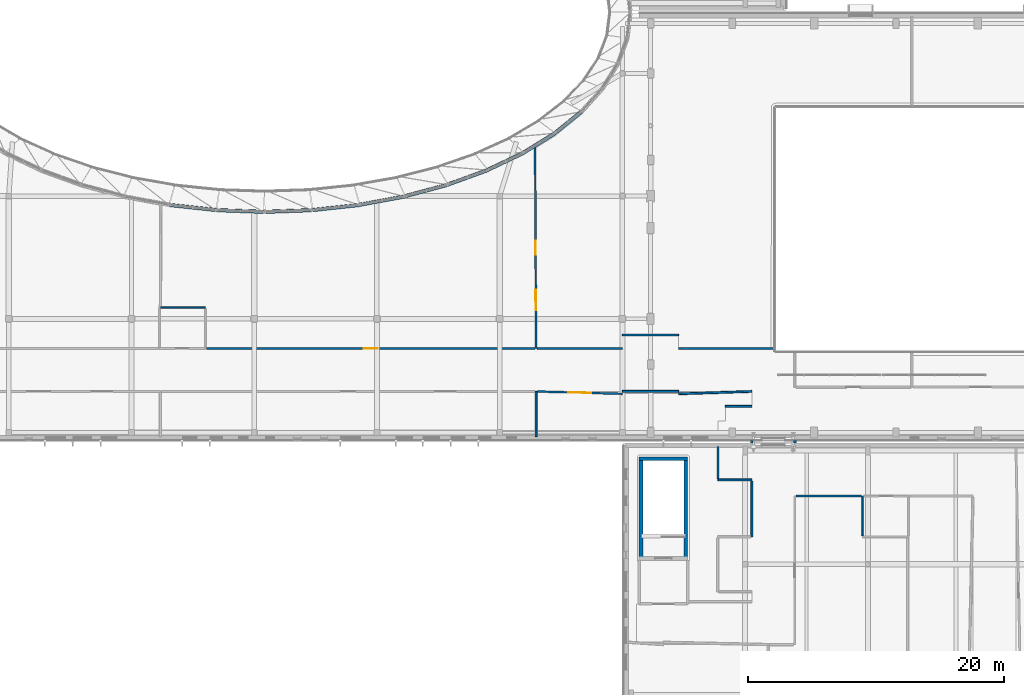
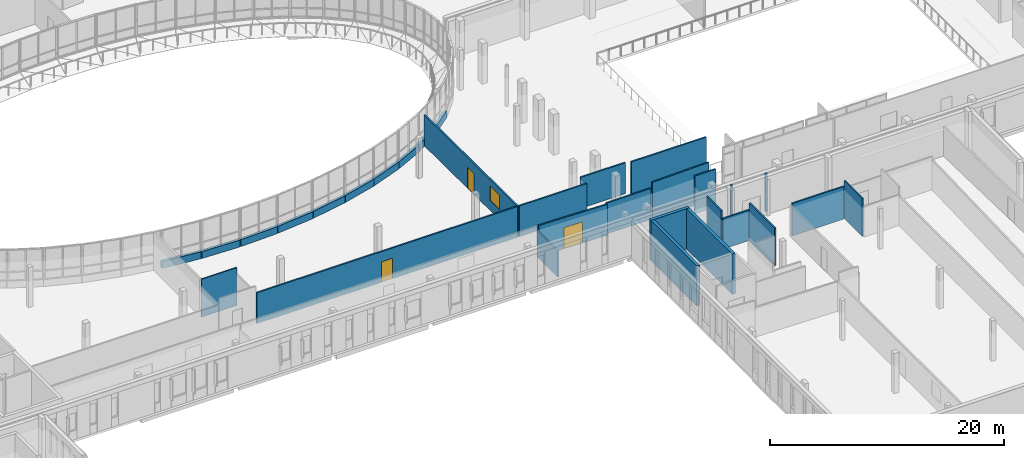
# One storey, part 48 of 84: 31 walls, 3 doors, 1 window, 4 openings.
"""IFC4 building model written with IfcOpenShell, lengths in metres."""

from ifc_helpers import new_model, si_unit, direction, frame, frame_2d, origin, place, context, subcontext, project, spatial, rectangle, extrude, material, layer, layer_set, type_object, element, fill, save


model = new_model("IFC4")

# Units and contexts
model_context = context("Model", 3, precision=1e-05, world=origin(), true_north=direction((0.0, 1.0)))
body_context = subcontext(model_context, "Body", "Model", "MODEL_VIEW")
ifc_project = project(units=[si_unit("LENGTHUNIT", "METRE"), si_unit("AREAUNIT", "SQUARE_METRE"), si_unit("VOLUMEUNIT", "CUBIC_METRE"), si_unit("PLANEANGLEUNIT", "RADIAN"), si_unit("MASSUNIT", "GRAM", prefix="KILO")], contexts=[model_context])

# Site, building, storey
site_placement = place(None, origin())
site = spatial("IfcSite", under=ifc_project, at=site_placement, CompositionType="ELEMENT")
building_placement = place(site_placement, origin())
building = spatial("IfcBuilding", under=site, at=building_placement, Name="Mzevani Central Library", CompositionType="ELEMENT")
storey_placement = place(building_placement, frame((0.0, 0.0, 5.39990234375)))
storey = spatial("IfcBuildingStorey", under=building, at=storey_placement, Name="L01", CompositionType="ELEMENT", Elevation=5.39990234375)

# Walls
ifc_material_1 = material(Name="Concrete C35/45", Category="concrete")
ifc_layer_1 = layer(ifc_material_1, 0.199951171875, Name="Compartment Wall 200")
ifc_layer_set_1 = layer_set([ifc_layer_1], Name="Concrete C35/45")
wall_type_1 = type_object("IfcWallType", Name="Compartment Wall 200", PredefinedType="STANDARD", material=ifc_layer_set_1)
for number, where, z_axis, x_axis, name in (
    (1, (122.10009765625, 42.300048828125, 0.0), (0.0, 0.0, 1.0), (0.0, 1.0, 0.0), "L01 Children-Reading Hall Seismic Passage L01 Seismic Joint Enclosure Wall 1"),
    (2, (125.5, 42.300048828125, 0.0), (0.0, 0.0, 1.0), (0.0, 1.0, 0.0), "L01 Children-Reading Hall Seismic Passage L01 Seismic Joint Enclosure Wall 2"),
):
    element("IfcWall", number, at=place(storey_placement, frame(where, z_axis=z_axis, x_axis=x_axis)), inside=storey, type_object=wall_type_1, Name=name, PredefinedType="STANDARD", context=body_context, shape_type="SweptSolid", body=[
        extrude(rectangle(XDim=0.199951171875, YDim=0.199951171875, at=frame_2d((0.10009765625, 0.0))), origin(), (0.0, 0.0, 1.0), 3.940185546875),
    ])
ifc_material_2 = material(Name="Concrete C40/50", Category="concrete")
ifc_layer_2 = layer(ifc_material_2, 0.300048828125, Name="Core Shear Wall 300")
ifc_layer_set_2 = layer_set([ifc_layer_2], Name="Concrete C40/50")
wall_type_2 = type_object("IfcWallType", Name="Core Shear Wall 300", PredefinedType="SHEAR", material=ifc_layer_set_2)
wall_1_placement = place(storey_placement, frame((113.449951171875, 33.10009765625, 0.0), z_axis=(0.0, 0.0, 1.0), x_axis=(0.0, 1.0, 0.0)))
element("IfcWall", 3, at=wall_1_placement, inside=storey, type_object=wall_type_2, Name="L01 Core C6A Children's Pavilion North Stair Shear Wall (-x)", PredefinedType="SHEAR", context=body_context, shape_type="SweptSolid", body=[
    extrude(rectangle(XDim=8.099853515625, YDim=0.300048828125, at=frame_2d((4.0498046875, 0.0))), origin(), (0.0, 0.0, 1.0), 4.2001953125),
])
wall_2_placement = place(storey_placement, frame((113.300048828125, 41.050048828125, 0.0), z_axis=(0.0, 0.0, 1.0), x_axis=(1.0, 0.0, 0.0)))
element("IfcWall", 4, at=wall_2_placement, inside=storey, type_object=wall_type_2, Name="L01 Core C6A Children's Pavilion North Stair Shear Wall (+y)", PredefinedType="SHEAR", context=body_context, shape_type="SweptSolid", body=[
    extrude(rectangle(XDim=3.800048828125, YDim=0.300048828125, at=frame_2d((1.89990234375, 0.0))), origin(), (0.0, 0.0, 1.0), 4.2001953125),
])
wall_3_placement = place(storey_placement, frame((116.949951171875, 41.199951171875, 0.0), z_axis=(0.0, 0.0, 1.0), x_axis=(0.0, -1.0, 0.0)))
element("IfcWall", 5, at=wall_3_placement, inside=storey, type_object=wall_type_2, Name="L01 Core C6A Children's Pavilion North Stair Shear Wall (+x)", PredefinedType="SHEAR", context=body_context, shape_type="SweptSolid", body=[
    extrude(rectangle(XDim=8.099853515625, YDim=0.300048828125, at=frame_2d((4.0498046875, 0.0))), origin(), (0.0, 0.0, 1.0), 4.2001953125),
])
ifc_material_3 = material(Name="Precast concrete C40/50", Category="concrete")
ifc_layer_3 = layer(ifc_material_3, 0.280029296875, Name="Court Spandrel Wall 280")
ifc_layer_set_3 = layer_set([ifc_layer_3], Name="Precast concrete C40/50")
wall_type_3 = type_object("IfcWallType", Name="Court Spandrel Wall 280", PredefinedType="STANDARD", material=ifc_layer_set_3)
wall_4_placement = place(storey_placement, frame((76.57373046875, 60.90625, 0.0), z_axis=(0.0, 0.0, 1.0), x_axis=(0.994224158715, -0.107323446776, 0.0)))
element("IfcWall", 6, at=wall_4_placement, inside=storey, type_object=wall_type_3, Name="L01 Elliptical Court Spandrel 35", PredefinedType="STANDARD", context=body_context, shape_type="SweptSolid", body=[
    extrude(rectangle(XDim=3.664794921875, YDim=0.280029296875, at=frame_2d((1.83251953125, 0.0))), origin(), (0.0, 0.0, 1.0), 0.72021484375),
])
for number, where, z_axis, x_axis, name in (
    (7, (80.2666015625, 60.501220703125, 0.0), (0.0, 0.0, 1.0), (0.999368209041, -0.035541282461, 0.0), "L01 Elliptical Court Spandrel 36"),
    (8, (84.0263671875, 60.369384765625, 0.0), (0.0, 0.0, 1.0), (0.999368209041, 0.035541282461, 0.0), "L01 Elliptical Court Spandrel 37"),
):
    element("IfcWall", number, at=place(storey_placement, frame(where, z_axis=z_axis, x_axis=x_axis)), inside=storey, type_object=wall_type_3, Name=name, PredefinedType="STANDARD", context=body_context, shape_type="SweptSolid", body=[
        extrude(rectangle(XDim=3.70947265625, YDim=0.280029296875, at=frame_2d((1.854736328125, 0.0))), origin(), (0.0, 0.0, 1.0), 0.72021484375),
    ])
wall_5_placement = place(storey_placement, frame((87.78271484375, 60.512939453125, 0.0), z_axis=(0.0, 0.0, 1.0), x_axis=(0.994224158715, 0.107323446776, 0.0)))
element("IfcWall", 9, at=wall_5_placement, inside=storey, type_object=wall_type_3, Name="L01 Elliptical Court Spandrel 38", PredefinedType="STANDARD", context=body_context, shape_type="SweptSolid", body=[
    extrude(rectangle(XDim=3.664794921875, YDim=0.280029296875, at=frame_2d((1.83251953125, 0.0))), origin(), (0.0, 0.0, 1.0), 0.72021484375),
])
wall_6_placement = place(storey_placement, frame((91.467041015625, 60.92626953125, 0.0), z_axis=(0.0, 0.0, 1.0), x_axis=(0.983444547385, 0.181209332591, 0.0)))
element("IfcWall", 10, at=wall_6_placement, inside=storey, type_object=wall_type_3, Name="L01 Elliptical Court Spandrel 39", PredefinedType="STANDARD", context=body_context, shape_type="SweptSolid", body=[
    extrude(rectangle(XDim=3.5771484375, YDim=0.280029296875, at=frame_2d((1.78857421875, 0.0))), origin(), (0.0, 0.0, 1.0), 0.72021484375),
])
wall_7_placement = place(storey_placement, frame((95.01611328125, 61.59814453125, 0.0), z_axis=(0.0, 0.0, 1.0), x_axis=(0.966008995784, 0.258508452598, 0.0)))
element("IfcWall", 11, at=wall_7_placement, inside=storey, type_object=wall_type_3, Name="L01 Elliptical Court Spandrel 40", PredefinedType="STANDARD", context=body_context, shape_type="SweptSolid", body=[
    extrude(rectangle(XDim=3.448974609375, YDim=0.280029296875, at=frame_2d((1.724609375, 0.0))), origin(), (0.0, 0.0, 1.0), 0.72021484375),
])
wall_8_placement = place(storey_placement, frame((98.370849609375, 62.513916015625, 0.0), z_axis=(0.0, 0.0, 1.0), x_axis=(0.940120589317, 0.340842012583, 0.0)))
element("IfcWall", 12, at=wall_8_placement, inside=storey, type_object=wall_type_3, Name="L01 Elliptical Court Spandrel 41", PredefinedType="STANDARD", context=body_context, shape_type="SweptSolid", body=[
    extrude(rectangle(XDim=3.28564453125, YDim=0.280029296875, at=frame_2d((1.642822265625, 0.0))), origin(), (0.0, 0.0, 1.0), 0.72021484375),
])
wall_9_placement = place(storey_placement, frame((101.475830078125, 63.65673828125, 0.0), z_axis=(0.0, 0.0, 1.0), x_axis=(0.902940744527, 0.429765065905, 0.0)))
element("IfcWall", 13, at=wall_9_placement, inside=storey, type_object=wall_type_3, Name="L01 Elliptical Court Spandrel 42", PredefinedType="STANDARD", context=body_context, shape_type="SweptSolid", body=[
    extrude(rectangle(XDim=3.09326171875, YDim=0.280029296875, at=frame_2d((1.546630859375, 0.0))), origin(), (0.0, 0.0, 1.0), 0.72021484375),
])
wall_10_placement = place(storey_placement, frame((104.280517578125, 65.00732421875, 0.0), z_axis=(0.0, 0.0, 1.0), x_axis=(0.850375313237, 0.526176611639, 0.0)))
element("IfcWall", 14, at=wall_10_placement, inside=storey, type_object=wall_type_3, Name="L01 Elliptical Court Spandrel 43", PredefinedType="STANDARD", context=body_context, shape_type="SweptSolid", body=[
    extrude(rectangle(XDim=2.88037109375, YDim=0.280029296875, at=frame_2d((1.440185546875, 0.0))), origin(), (0.0, 0.0, 1.0), 0.72021484375),
])
wall_11_placement = place(storey_placement, frame((106.738037109375, 66.54248046875, 0.0), z_axis=(0.0, 0.0, 1.0), x_axis=(0.776243179452, 0.63043360186, 0.0)))
element("IfcWall", 15, at=wall_11_placement, inside=storey, type_object=wall_type_3, Name="L01 Elliptical Court Spandrel 44", PredefinedType="STANDARD", context=body_context, shape_type="SweptSolid", body=[
    extrude(rectangle(XDim=2.658935546875, YDim=0.280029296875, at=frame_2d((1.32958984375, 0.0))), origin(), (0.0, 0.0, 1.0), 0.72021484375),
])
ifc_material_4 = material(Name="Fire-rated gypsum board", Category="gypsum")
ifc_layer_4 = layer(ifc_material_4, 0.1201171875, Name="Partition Acoustic 120")
ifc_layer_set_4 = layer_set([ifc_layer_4], Name="Fire-rated gypsum board")
wall_type_4 = type_object("IfcWallType", Name="Partition Acoustic 120", PredefinedType="PARTITIONING", material=ifc_layer_set_4)
wall_12_placement = place(storey_placement, frame((75.874755859375, 52.8798828125, 0.0), z_axis=(0.0, 0.0, 1.0), x_axis=(1.0, 0.0, 0.0)))
element("IfcWall", 16, at=wall_12_placement, inside=storey, type_object=wall_type_4, Name="L01 V1 Partition IW-02 (191)", PredefinedType="PARTITIONING", context=body_context, shape_type="SweptSolid", body=[
    extrude(rectangle(XDim=3.5, YDim=0.1201171875, at=frame_2d((1.75, 0.0))), origin(), (0.0, 0.0, 1.0), 3.940185546875),
])
wall_13_placement = place(storey_placement, frame((130.7900390625, 35.0400390625, 0.0), z_axis=(0.0, 0.0, 1.0), x_axis=(0.0, 1.0, 0.0)))
element("IfcWall", 17, at=wall_13_placement, inside=storey, type_object=wall_type_4, Name="L01 V6 Partition IW-02 (341)", PredefinedType="PARTITIONING", context=body_context, shape_type="SweptSolid", body=[
    extrude(rectangle(XDim=3.099853515625, YDim=0.1201171875, at=frame_2d((1.5498046875, 0.0))), origin(), (0.0, 0.0, 1.0), 3.940185546875),
])

# Wall, openings, window, door
ifc_layer_5 = layer(ifc_material_4, 0.14990234375, Name="Partition Study 150")
ifc_layer_set_5 = layer_set([ifc_layer_5], Name="Fire-rated gypsum board")
wall_type_5 = type_object("IfcWallType", Name="Partition Study 150", PredefinedType="PARTITIONING", material=ifc_layer_set_5)
wall_14_placement = place(storey_placement, frame((105.166259765625, 65.413818359375, 0.0), z_axis=(0.0, 0.0, 1.0), x_axis=(0.005322209944, -0.99998583694, 0.0)))
wall_14 = element("IfcWall", 18, at=wall_14_placement, inside=storey, type_object=wall_type_5, Name="L01 V1 Partition IW-03 (197)", PredefinedType="PARTITIONING", context=body_context, shape_type="SweptSolid", body=[
    extrude(rectangle(XDim=15.734130859375, YDim=0.14990234375, at=frame_2d((7.8671875, 0.0))), origin(), (0.0, 0.0, 1.0), 3.22021484375),
])
opening_1_placement = place(wall_14_placement, frame((7.317138671875, 0.0, 0.0)))
opening_1 = element("IfcOpeningElement", 19, at=opening_1_placement, cuts=wall_14, Name="Opening ID-08", PredefinedType="OPENING", context=body_context, shape_type="SweptSolid", body=[
    extrude(rectangle(XDim=1.10009765625, YDim=2.199951171875, at=frame_2d((0.550048828125, 1.10009765625))), frame((0.0, 0.0849609375, 0.0), z_axis=(0.0, -1.0, 0.0), x_axis=(1.0, 0.0, 0.0)), (0.0, 0.0, 1.0), 0.169921875),
])
opening_2_placement = place(wall_14_placement, frame((11.157958984375, 0.0, 1.050048828125)))
opening_2 = element("IfcOpeningElement", 20, at=opening_2_placement, cuts=wall_14, Name="Opening IW-W01", PredefinedType="OPENING", context=body_context, shape_type="SweptSolid", body=[
    extrude(rectangle(XDim=1.60009765625, YDim=1.5, at=frame_2d((0.800048828125, 0.75))), frame((0.0, 0.0849609375, 0.0), z_axis=(0.0, -1.0, 0.0), x_axis=(1.0, 0.0, 0.0)), (0.0, 0.0, 1.0), 0.169921875),
])
ifc_material_5 = material(Name="Low-E triple glazing glass", Category="glass")
window_type = type_object("IfcWindowType", Name="Interior Borrowed Light 1600x1500", PartitioningType="SINGLE_PANEL", PredefinedType="WINDOW", material=ifc_material_5)
window_placement = place(opening_2_placement, origin())
window = element("IfcWindow", 21, at=window_placement, inside=storey, type_object=window_type, Name="L01 Collaborative Group Study Room B Acoustic Borrowed Light", OverallHeight=1.5, OverallWidth=1.60009765625, PartitioningType="SINGLE_PANEL", PredefinedType="WINDOW", context=body_context, shape_type="SweptSolid", body=[
    extrude(rectangle(XDim=1.60009765625, YDim=1.5, at=frame_2d((0.800048828125, 0.75))), frame((0.0, 0.030029296875, 0.0), z_axis=(0.0, -1.0, 0.0), x_axis=(1.0, 0.0, 0.0)), (0.0, 0.0, 1.0), 0.06005859375),
])
fill(opening_2, window)
ifc_material_6 = material(Name="Fire-rated solid oak leaf")
door_type_1 = type_object("IfcDoorType", Name="Seminar Room Door 1100x2200", OperationType="NOTDEFINED", PredefinedType="DOOR", material=ifc_material_6)
door_1_placement = place(opening_1_placement, origin())
door_1 = element("IfcDoor", 22, at=door_1_placement, inside=storey, type_object=door_type_1, Name="L01 Collaborative Group Study Room B Door", OperationType="SINGLE_SWING_LEFT", OverallHeight=2.199951171875, OverallWidth=1.10009765625, PredefinedType="DOOR", context=body_context, shape_type="SweptSolid", body=[
    extrude(rectangle(XDim=1.10009765625, YDim=2.199951171875, at=frame_2d((0.550048828125, 1.10009765625))), frame((0.0, 0.02490234375, 0.0), z_axis=(0.0, -1.0, 0.0), x_axis=(1.0, 0.0, 0.0)), (0.0, 0.0, 1.0), 0.050048828125),
])
fill(opening_1, door_1)

# Wall, opening, door
wall_15_placement = place(storey_placement, frame((105.14990234375, 49.679931640625, 0.0), z_axis=(0.0, 0.0, 1.0), x_axis=(-1.0, 0.0, 0.0)))
wall_15 = element("IfcWall", 23, at=wall_15_placement, inside=storey, type_object=wall_type_5, Name="L01 V1 Partition IW-03 (198)", PredefinedType="PARTITIONING", context=body_context, shape_type="SweptSolid", body=[
    extrude(rectangle(XDim=25.675048828125, YDim=0.14990234375, at=frame_2d((12.83740234375, 0.0))), origin(), (0.0, 0.0, 1.0), 3.22021484375),
])
opening_3_placement = place(wall_15_placement, frame((12.28759765625, 0.0, 0.0)))
opening_3 = element("IfcOpeningElement", 24, at=opening_3_placement, cuts=wall_15, Name="Opening FD-04", PredefinedType="OPENING", context=body_context, shape_type="SweptSolid", body=[
    extrude(rectangle(XDim=1.10009765625, YDim=2.14990234375, at=frame_2d((0.550048828125, 1.074951171875))), frame((0.0, 0.0849609375, 0.0), z_axis=(0.0, -1.0, 0.0), x_axis=(1.0, 0.0, 0.0)), (0.0, 0.0, 1.0), 0.169921875),
])
ifc_material_7 = material(Name="Fire-rated steel door assembly", Category="steel")
door_type_2 = type_object("IfcDoorType", Name="Fire Compartment Door 1100x2150", OperationType="NOTDEFINED", PredefinedType="DOOR", material=ifc_material_7)
door_2_placement = place(opening_3_placement, origin())
door_2 = element("IfcDoor", 25, at=door_2_placement, inside=storey, type_object=door_type_2, Name="L01 Humanities Open Book Stacks Door", OperationType="SINGLE_SWING_LEFT", OverallHeight=2.14990234375, OverallWidth=1.10009765625, PredefinedType="DOOR", context=body_context, shape_type="SweptSolid", body=[
    extrude(rectangle(XDim=1.10009765625, YDim=2.14990234375, at=frame_2d((0.550048828125, 1.074951171875))), frame((0.0, 0.02490234375, 0.0), z_axis=(0.0, -1.0, 0.0), x_axis=(1.0, 0.0, 0.0)), (0.0, 0.0, 1.0), 0.050048828125),
])
fill(opening_3, door_2)

# Walls
wall_16_placement = place(storey_placement, frame((105.25, 46.320068359375, 0.0), z_axis=(0.0, 0.0, 1.0), x_axis=(0.0, -1.0, 0.0)))
element("IfcWall", 26, at=wall_16_placement, inside=storey, type_object=wall_type_5, Name="L01 V1 Partition IW-03 (199)", PredefinedType="PARTITIONING", context=body_context, shape_type="SweptSolid", body=[
    extrude(rectangle(XDim=3.530029296875, YDim=0.14990234375, at=frame_2d((1.76513671875, 0.0))), origin(), (0.0, 0.0, 1.0), 2.715087890625),
])
wall_17_placement = place(storey_placement, frame((123.800048828125, 49.679931640625, 0.0), z_axis=(0.0, 0.0, 1.0), x_axis=(-1.0, 0.0, 0.0)))
element("IfcWall", 27, at=wall_17_placement, inside=storey, type_object=wall_type_5, Name="L01 V1 Partition IW-03 (202)", PredefinedType="PARTITIONING", context=body_context, shape_type="SweptSolid", body=[
    extrude(rectangle(XDim=7.400146484375, YDim=0.14990234375, at=frame_2d((3.7001953125, 0.0))), origin(), (0.0, 0.0, 1.0), 3.940185546875),
])
wall_18_placement = place(storey_placement, frame((116.39990234375, 50.73291015625, 0.0), z_axis=(0.0, 0.0, 1.0), x_axis=(-1.0, 0.0, 0.0)))
element("IfcWall", 28, at=wall_18_placement, inside=storey, type_object=wall_type_5, Name="L01 V1 Partition IW-03 (203)", PredefinedType="PARTITIONING", context=body_context, shape_type="SweptSolid", body=[
    extrude(rectangle(XDim=4.39990234375, YDim=0.14990234375, at=frame_2d((2.199951171875, 0.0))), origin(), (0.0, 0.0, 1.0), 3.22021484375),
])
wall_19_placement = place(storey_placement, frame((112.0, 49.679931640625, 0.0), z_axis=(0.0, 0.0, 1.0), x_axis=(-1.0, 0.0, 0.0)))
element("IfcWall", 29, at=wall_19_placement, inside=storey, type_object=wall_type_5, Name="L01 V1 Partition IW-03 (204)", PredefinedType="PARTITIONING", context=body_context, shape_type="SweptSolid", body=[
    extrude(rectangle(XDim=6.64990234375, YDim=0.14990234375, at=frame_2d((3.324951171875, 0.0))), origin(), (0.0, 0.0, 1.0), 3.22021484375),
])
wall_20_placement = place(storey_placement, frame((112.0, 46.320068359375, 0.0), z_axis=(0.0, 0.0, 1.0), x_axis=(1.0, 0.0, 0.0)))
element("IfcWall", 30, at=wall_20_placement, inside=storey, type_object=wall_type_5, Name="L01 V1 Partition IW-03 (205)", PredefinedType="PARTITIONING", context=body_context, shape_type="SweptSolid", body=[
    extrude(rectangle(XDim=4.39990234375, YDim=0.14990234375, at=frame_2d((2.199951171875, 0.0))), origin(), (0.0, 0.0, 1.0), 3.22021484375),
])
wall_21_placement = place(storey_placement, frame((116.39990234375, 46.133056640625, 0.0), z_axis=(0.0, 0.0, 1.0), x_axis=(0.999466007702, 0.032675670589, 0.0)))
element("IfcWall", 31, at=wall_21_placement, inside=storey, type_object=wall_type_5, Name="L01 V1 Partition IW-03 (206)", PredefinedType="PARTITIONING", context=body_context, shape_type="SweptSolid", body=[
    extrude(rectangle(XDim=5.723388671875, YDim=0.14990234375, at=frame_2d((2.86181640625, 0.0))), origin(), (0.0, 0.0, 1.0), 3.940185546875),
])
wall_22_placement = place(storey_placement, frame((122.1201171875, 45.14990234375, 0.0), z_axis=(0.0, 0.0, 1.0), x_axis=(-1.0, 0.0, 0.0)))
element("IfcWall", 32, at=wall_22_placement, inside=storey, type_object=wall_type_5, Name="L01 V1 Partition IW-03 (207)", PredefinedType="PARTITIONING", context=body_context, shape_type="SweptSolid", body=[
    extrude(rectangle(XDim=2.070068359375, YDim=0.14990234375, at=frame_2d((1.03515625, 0.0))), origin(), (0.0, 0.0, 1.0), 3.940185546875),
])

# Wall, opening, door
wall_23_placement = place(storey_placement, frame((105.35009765625, 46.317138671875, 0.0), z_axis=(0.0, 0.0, 1.0), x_axis=(0.99961707585, -0.027671314898, 0.0)))
wall_23 = element("IfcWall", 33, at=wall_23_placement, inside=storey, type_object=wall_type_5, Name="L01 V1 Partition IW-03 (208)", PredefinedType="PARTITIONING", context=body_context, shape_type="SweptSolid", body=[
    extrude(rectangle(XDim=6.65234375, YDim=0.14990234375, at=frame_2d((3.326171875, 0.0))), origin(), (0.0, 0.0, 1.0), 3.22021484375),
])
opening_4_placement = place(wall_23_placement, frame((2.42626953125, 0.0, 0.0)))
opening_4 = element("IfcOpeningElement", 34, at=opening_4_placement, cuts=wall_23, Name="Opening FD-06", PredefinedType="OPENING", context=body_context, shape_type="SweptSolid", body=[
    extrude(rectangle(XDim=1.800048828125, YDim=2.199951171875, at=frame_2d((0.89990234375, 1.10009765625))), frame((0.0, 0.0849609375, 0.0), z_axis=(0.0, -1.0, 0.0), x_axis=(1.0, 0.0, 0.0)), (0.0, 0.0, 1.0), 0.169921875),
])
door_type_3 = type_object("IfcDoorType", Name="Fire Corridor Double Door 1800x2200", OperationType="NOTDEFINED", PredefinedType="DOOR", material=ifc_material_7)
door_3_placement = place(opening_4_placement, origin())
door_3 = element("IfcDoor", 35, at=door_3_placement, inside=storey, type_object=door_type_3, Name="L01 Upper Reading Mezzanine 2 Door", OperationType="DOUBLE_DOOR_SINGLE_SWING", OverallHeight=2.199951171875, OverallWidth=1.800048828125, PredefinedType="DOOR", context=body_context, shape_type="SweptSolid", body=[
    extrude(rectangle(XDim=1.800048828125, YDim=2.199951171875, at=frame_2d((0.89990234375, 1.10009765625))), frame((0.0, 0.02490234375, 0.0), z_axis=(0.0, -1.0, 0.0), x_axis=(1.0, 0.0, 0.0)), (0.0, 0.0, 1.0), 0.050048828125),
])
fill(opening_4, door_3)

# Walls
wall_24_placement = place(storey_placement, frame((119.47509765625, 39.39990234375, 0.0), z_axis=(0.0, 0.0, 1.0), x_axis=(1.0, 0.0, 0.0)))
element("IfcWall", 36, at=wall_24_placement, inside=storey, type_object=wall_type_5, Name="L01 V6 Partition IW-03 (344)", PredefinedType="PARTITIONING", context=body_context, shape_type="SweptSolid", body=[
    extrude(rectangle(XDim=2.64501953125, YDim=0.14990234375, at=frame_2d((1.322509765625, 0.0))), origin(), (0.0, 0.0, 1.0), 3.18017578125),
])
wall_25_placement = place(storey_placement, frame((122.1201171875, 39.300048828125, 0.0), z_axis=(0.0, 0.0, 1.0), x_axis=(0.0, -1.0, 0.0)))
element("IfcWall", 37, at=wall_25_placement, inside=storey, type_object=wall_type_5, Name="L01 V6 Partition IW-03 (345)", PredefinedType="PARTITIONING", context=body_context, shape_type="SweptSolid", body=[
    extrude(rectangle(XDim=4.35009765625, YDim=0.14990234375, at=frame_2d((2.175048828125, 0.0))), origin(), (0.0, 0.0, 1.0), 3.940185546875),
])
wall_26_placement = place(storey_placement, frame((119.47509765625, 42.010009765625, 0.0), z_axis=(0.0, 0.0, 1.0), x_axis=(0.0, -1.0, 0.0)))
element("IfcWall", 38, at=wall_26_placement, inside=storey, type_object=wall_type_5, Name="L01 V6 Partition IW-03 (353)", PredefinedType="PARTITIONING", context=body_context, shape_type="SweptSolid", body=[
    extrude(rectangle(XDim=2.510009765625, YDim=0.14990234375, at=frame_2d((1.2548828125, 0.0))), origin(), (0.0, 0.0, 1.0), 3.940185546875),
])
wall_27_placement = place(storey_placement, frame((125.580078125, 38.139892578125, 0.0), z_axis=(0.0, 0.0, 1.0), x_axis=(1.0, 0.0, 0.0)))
element("IfcWall", 39, at=wall_27_placement, inside=storey, type_object=wall_type_5, Name="L01 V6 Partition IW-03 (355)", PredefinedType="PARTITIONING", context=body_context, shape_type="SweptSolid", body=[
    extrude(rectangle(XDim=5.10986328125, YDim=0.14990234375, at=frame_2d((2.554931640625, 0.0))), origin(), (0.0, 0.0, 1.0), 3.380126953125),
])

save(model, "model.ifc")
